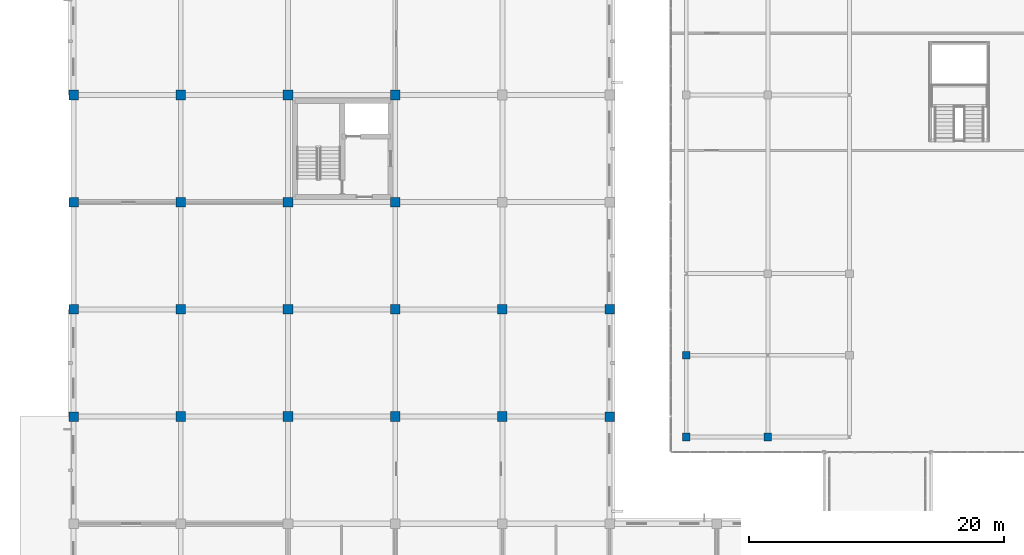
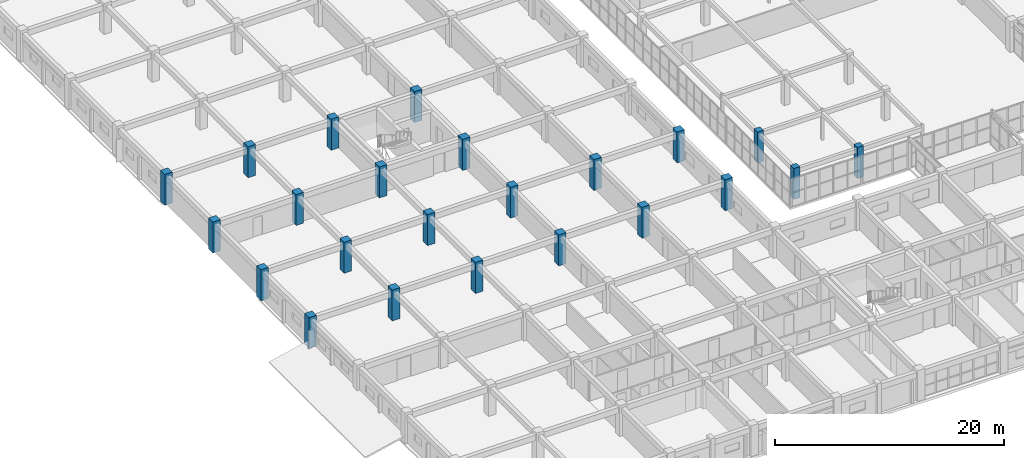
# One storey, part 3 of 200: 23 columns.
"""IFC4 building model written with IfcOpenShell, lengths in metres."""

from ifc_helpers import new_model, si_unit, direction, frame, origin, origin_2d, place, context, subcontext, project, spatial, rectangle, extrude, material, material_profile, profile_set, type_object, element, save


model = new_model("IFC4")

# Units and contexts
model_context = context("Model", 3, precision=1e-05, world=origin(), true_north=direction((0.0, 1.0)))
body_context = subcontext(model_context, "Body", "Model", "MODEL_VIEW")
ifc_project = project(units=[si_unit("LENGTHUNIT", "METRE"), si_unit("AREAUNIT", "SQUARE_METRE"), si_unit("VOLUMEUNIT", "CUBIC_METRE"), si_unit("PLANEANGLEUNIT", "RADIAN"), si_unit("MASSUNIT", "GRAM", prefix="KILO")], contexts=[model_context])

# Site, building, storey
site_placement = place(None, origin())
site = spatial("IfcSite", under=ifc_project, at=site_placement, CompositionType="ELEMENT")
building_placement = place(site_placement, origin())
building = spatial("IfcBuilding", under=site, at=building_placement, Name="Trelvath General Hospital", CompositionType="ELEMENT")
storey_placement = place(building_placement, frame((0.0, 0.0, 4.800048828125)))
storey = spatial("IfcBuildingStorey", under=building, at=storey_placement, Name="L01", CompositionType="ELEMENT", Elevation=4.800048828125)

# Columns
ifc_material_1 = material(Name="Concrete C40/50", Category="concrete")
ifc_material_profile_1 = material_profile(ifc_material_1, rectangle(XDim=0.60009765625, YDim=0.60009765625, at=origin_2d()), Name="RC600x600")
ifc_profile_set_1 = profile_set([ifc_material_profile_1], Name="Concrete C40/50")
column_type_1 = type_object("IfcColumnType", Name="Column RC600", PredefinedType="COLUMN", material=ifc_profile_set_1)
for number, where, z_axis, x_axis, name in (
    (1, (48.0, 32.0, 0.0), (0.0, 0.0, 1.0), (1.0, 0.0, 0.0), "Cube Interior Column CC-W22 L01"),
    (2, (48.0, 38.39990234375, 0.0), (0.0, 0.0, 1.0), (1.0, 0.0, 0.0), "Cube Interior Column CC-W23 L01"),
    (3, (54.39990234375, 32.0, 0.0), (0.0, 0.0, 1.0), (1.0, 0.0, 0.0), "Cube Interior Column CC-W29 L01"),
):
    element("IfcColumn", number, at=place(storey_placement, frame(where, z_axis=z_axis, x_axis=x_axis)), inside=storey, type_object=column_type_1, Name=name, PredefinedType="COLUMN", context=body_context, shape_type="SweptSolid", body=[
        extrude(rectangle(XDim=0.60009765625, YDim=0.60009765625, at=origin_2d()), origin(), (0.0, 0.0, 1.0), 3.300048828125),
    ])
ifc_material_2 = material(Name="Concrete C40/50", Category="concrete")
ifc_material_profile_2 = material_profile(ifc_material_2, rectangle(XDim=0.75, YDim=0.75, at=origin_2d()), Name="RC750x750")
ifc_profile_set_2 = profile_set([ifc_material_profile_2], Name="Concrete C40/50")
column_type_2 = type_object("IfcColumnType", Name="Column RC750", PredefinedType="COLUMN", material=ifc_profile_set_2)
for number, where, z_axis, x_axis, name in (
    (4, (0.0, 33.60009765625, 0.0), (0.0, 0.0, 1.0), (1.0, 0.0, 0.0), "Column C-1E L01"),
    (5, (0.0, 42.0, 0.0), (0.0, 0.0, 1.0), (1.0, 0.0, 0.0), "Column C-1F L01"),
    (6, (0.0, 50.39990234375, 0.0), (0.0, 0.0, 1.0), (1.0, 0.0, 0.0), "Column C-1G L01"),
    (7, (0.0, 58.800048828125, 0.0), (0.0, 0.0, 1.0), (1.0, 0.0, 0.0), "Column C-1H L01"),
    (8, (42.0, 33.60009765625, 0.0), (0.0, 0.0, 1.0), (1.0, 0.0, 0.0), "Column C-6E L01"),
    (9, (42.0, 42.0, 0.0), (0.0, 0.0, 1.0), (1.0, 0.0, 0.0), "Column C-6F L01"),
):
    element("IfcColumn", number, at=place(storey_placement, frame(where, z_axis=z_axis, x_axis=x_axis)), inside=storey, type_object=column_type_2, Name=name, PredefinedType="COLUMN", context=body_context, shape_type="SweptSolid", body=[
        extrude(rectangle(XDim=0.75, YDim=0.75, at=origin_2d()), origin(), (0.0, 0.0, 1.0), 3.300048828125),
    ])
ifc_material_3 = material(Name="Concrete C40/50", Category="concrete")
ifc_material_profile_3 = material_profile(ifc_material_3, rectangle(XDim=0.760009765625, YDim=0.760009765625, at=origin_2d()), Name="RC760x760")
ifc_profile_set_3 = profile_set([ifc_material_profile_3], Name="Concrete C40/50")
column_type_3 = type_object("IfcColumnType", Name="Column RC760", PredefinedType="COLUMN", material=ifc_profile_set_3)
for number, where, z_axis, x_axis, name in (
    (10, (8.39990234375, 33.60009765625, 0.0), (0.0, 0.0, 1.0), (1.0, 0.0, 0.0), "Column C-2E L01"),
    (11, (8.39990234375, 42.0, 0.0), (0.0, 0.0, 1.0), (1.0, 0.0, 0.0), "Column C-2F L01"),
    (12, (8.39990234375, 50.39990234375, 0.0), (0.0, 0.0, 1.0), (1.0, 0.0, 0.0), "Column C-2G L01"),
    (13, (8.39990234375, 58.800048828125, 0.0), (0.0, 0.0, 1.0), (1.0, 0.0, 0.0), "Column C-2H L01"),
    (14, (16.800048828125, 33.60009765625, 0.0), (0.0, 0.0, 1.0), (1.0, 0.0, 0.0), "Column C-3E L01"),
    (15, (16.800048828125, 42.0, 0.0), (0.0, 0.0, 1.0), (1.0, 0.0, 0.0), "Column C-3F L01"),
    (16, (16.800048828125, 50.39990234375, 0.0), (0.0, 0.0, 1.0), (1.0, 0.0, 0.0), "Column C-3G L01"),
    (17, (16.800048828125, 58.800048828125, 0.0), (0.0, 0.0, 1.0), (1.0, 0.0, 0.0), "Column C-3H L01"),
    (18, (25.199951171875, 33.60009765625, 0.0), (0.0, 0.0, 1.0), (1.0, 0.0, 0.0), "Column C-4E L01"),
    (19, (25.199951171875, 42.0, 0.0), (0.0, 0.0, 1.0), (1.0, 0.0, 0.0), "Column C-4F L01"),
    (20, (25.199951171875, 50.39990234375, 0.0), (0.0, 0.0, 1.0), (1.0, 0.0, 0.0), "Column C-4G L01"),
    (21, (25.199951171875, 58.800048828125, 0.0), (0.0, 0.0, 1.0), (1.0, 0.0, 0.0), "Column C-4H L01"),
    (22, (33.60009765625, 33.60009765625, 0.0), (0.0, 0.0, 1.0), (1.0, 0.0, 0.0), "Column C-5E L01"),
    (23, (33.60009765625, 42.0, 0.0), (0.0, 0.0, 1.0), (1.0, 0.0, 0.0), "Column C-5F L01"),
):
    element("IfcColumn", number, at=place(storey_placement, frame(where, z_axis=z_axis, x_axis=x_axis)), inside=storey, type_object=column_type_3, Name=name, PredefinedType="COLUMN", context=body_context, shape_type="SweptSolid", body=[
        extrude(rectangle(XDim=0.760009765625, YDim=0.760009765625, at=origin_2d()), origin(), (0.0, 0.0, 1.0), 3.300048828125),
    ])

save(model, "model.ifc")
